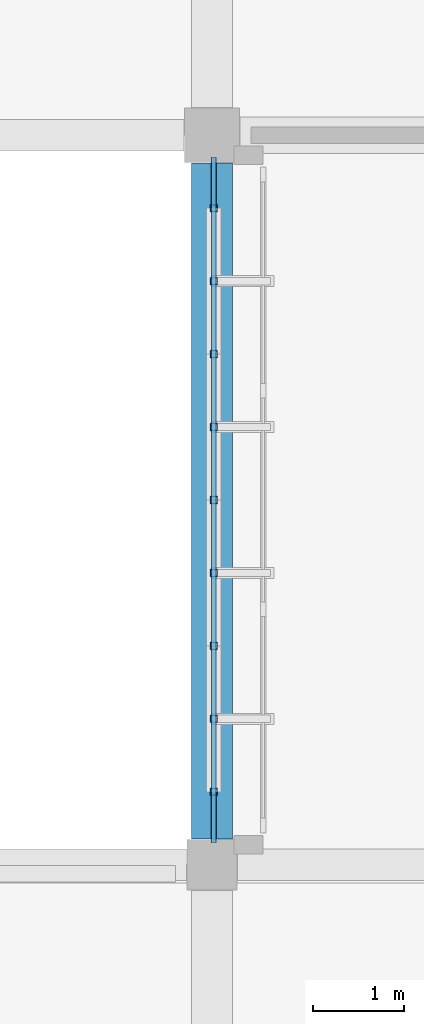
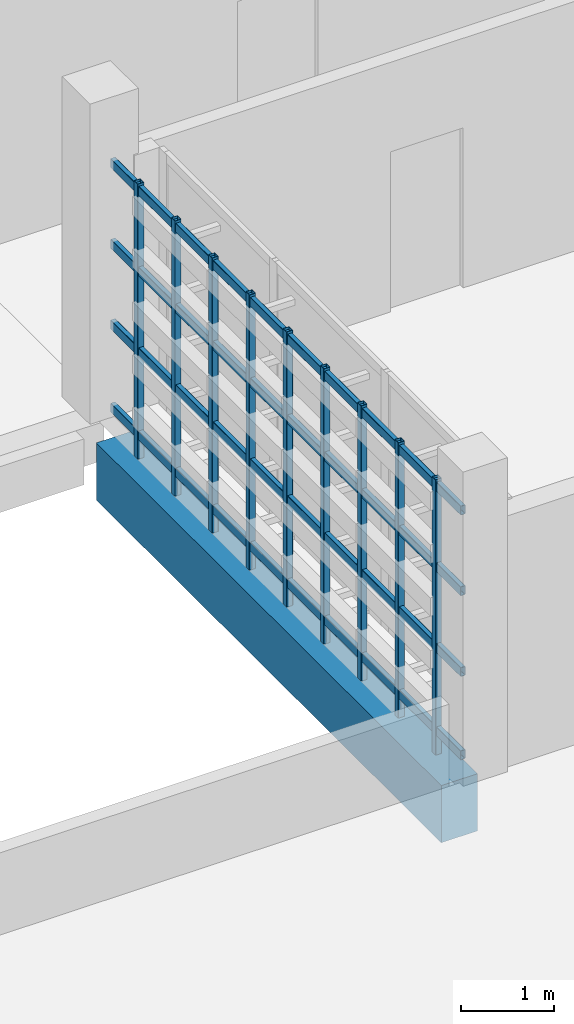
# One storey, part 11 of 137: 13 members, 1 beam.
"""IFC4 building model written with IfcOpenShell, lengths in metres."""

from ifc_helpers import new_model, si_unit, direction, frame, origin, origin_2d, place, context, subcontext, project, spatial, rectangle, hollow_rectangle, extrude, material, material_profile, profile_set, type_object, element, save


model = new_model("IFC4")

# Units and contexts
model_context = context("Model", 3, precision=1e-05, world=origin(), true_north=direction((0.0, 1.0)))
body_context = subcontext(model_context, "Body", "Model", "MODEL_VIEW")
ifc_project = project(units=[si_unit("LENGTHUNIT", "METRE"), si_unit("AREAUNIT", "SQUARE_METRE"), si_unit("VOLUMEUNIT", "CUBIC_METRE"), si_unit("PLANEANGLEUNIT", "RADIAN"), si_unit("MASSUNIT", "GRAM", prefix="KILO")], contexts=[model_context])

# Site, building, storey
site_placement = place(None, origin())
site = spatial("IfcSite", under=ifc_project, at=site_placement, CompositionType="ELEMENT")
building_placement = place(site_placement, origin())
building = spatial("IfcBuilding", under=site, at=building_placement, Name="Jelvoka-Kovrelna Polytechnic", CompositionType="ELEMENT")
storey_placement = place(building_placement, frame((0.0, 0.0, 9.60009765625)))
storey = spatial("IfcBuildingStorey", under=building, at=storey_placement, Name="L03", CompositionType="ELEMENT", Elevation=9.60009765625)

# Beam
ifc_material_1 = material(Name="Concrete C40/50", Category="concrete")
ifc_material_profile_1 = material_profile(ifc_material_1, rectangle(XDim=0.449951171875, YDim=0.75, at=origin_2d()), Name="RC 450x750")
ifc_profile_set_1 = profile_set([ifc_material_profile_1], Name="Concrete C40/50")
beam_type = type_object("IfcBeamType", Name="Beam_RC_450x750", PredefinedType="BEAM", material=ifc_profile_set_1)
beam_placement = place(storey_placement, frame((56.0, 8.280029296875, -0.64013671875), z_axis=(0.0, 1.0, 0.0), x_axis=(-1.0, 0.0, 0.0)))
element("IfcBeam", 1, at=beam_placement, inside=storey, type_object=beam_type, Name="L03 beam 0883", PredefinedType="BEAM", context=body_context, shape_type="SweptSolid", body=[
    extrude(rectangle(XDim=0.449951171875, YDim=0.75, at=origin_2d()), origin(), (0.0, 0.0, 1.0), 7.4150390625),
])

# Members
ifc_material_2 = material(Name="Structural steel S355J2H", Category="steel")
ifc_material_profile_2 = material_profile(ifc_material_2, hollow_rectangle(XDim=0.06005859375, YDim=0.1201171875, WallThickness=0.0048828125, InnerFilletRadius=0.0048828125, OuterFilletRadius=0.007568359375, at=origin_2d()), Name="120x60x5.0 RHS")
ifc_profile_set_2 = profile_set([ifc_material_profile_2], Name="Structural steel S355J2H")
member_type_1 = type_object("IfcMemberType", Name="Member_Strut_RHS120", PredefinedType="STRUT", material=ifc_profile_set_2)
for number, where, z_axis, x_axis, name in (
    (2, (56.02001953125, 8.239990234375, 0.079833984375), (0.0, 1.0, 0.0), (-1.0, 0.0, 0.0), "L03 terracotta screen horizontal strut 0027"),
    (3, (56.02001953125, 8.239990234375, 1.17138671875), (0.0, 1.0, 0.0), (-1.0, 0.0, 0.0), "L03 terracotta screen horizontal strut 0028"),
    (4, (56.02001953125, 8.239990234375, 2.230712890625), (0.0, 1.0, 0.0), (-1.0, 0.0, 0.0), "L03 terracotta screen horizontal strut 0029"),
    (5, (56.02001953125, 8.239990234375, 3.289794921875), (0.0, 1.0, 0.0), (-1.0, 0.0, 0.0), "L03 terracotta screen horizontal strut 0030"),
):
    element("IfcMember", number, at=place(storey_placement, frame(where, z_axis=z_axis, x_axis=x_axis)), inside=storey, type_object=member_type_1, Name=name, PredefinedType="STRUT", context=body_context, shape_type="SweptSolid", body=[
        extrude(hollow_rectangle(XDim=0.06005859375, YDim=0.1201171875, WallThickness=0.0048828125, InnerFilletRadius=0.0048828125, OuterFilletRadius=0.007568359375, at=origin_2d()), origin(), (0.0, 0.0, 1.0), 7.52001953125),
    ])
ifc_material_3 = material(Name="Structural steel S355J2H", Category="steel")
ifc_material_profile_3 = material_profile(ifc_material_3, hollow_rectangle(XDim=0.080078125, YDim=0.080078125, WallThickness=0.0048828125, InnerFilletRadius=0.0048828125, OuterFilletRadius=0.007568359375, at=origin_2d()), Name="80x80x5.0 SHS")
ifc_profile_set_3 = profile_set([ifc_material_profile_3], Name="Structural steel S355J2H")
member_type_2 = type_object("IfcMemberType", Name="Member_Strut_SHS80", PredefinedType="STRUT", material=ifc_profile_set_3)
for number, where, z_axis, x_axis, name in (
    (6, (56.02001953125, 8.800048828125, -0.22998046875), (0.0, 0.0, 1.0), (1.0, 0.0, 0.0), "L03 terracotta lattice vertical rib 0031"),
    (7, (56.02001953125, 9.60009765625, -0.22998046875), (0.0, 0.0, 1.0), (1.0, 0.0, 0.0), "L03 terracotta lattice vertical rib 0032"),
    (8, (56.02001953125, 10.39990234375, -0.22998046875), (0.0, 0.0, 1.0), (1.0, 0.0, 0.0), "L03 terracotta lattice vertical rib 0033"),
    (9, (56.02001953125, 11.199951171875, -0.22998046875), (0.0, 0.0, 1.0), (1.0, 0.0, 0.0), "L03 terracotta lattice vertical rib 0034"),
    (10, (56.02001953125, 12.0, -0.22998046875), (0.0, 0.0, 1.0), (1.0, 0.0, 0.0), "L03 terracotta lattice vertical rib 0035"),
    (11, (56.02001953125, 12.800048828125, -0.22998046875), (0.0, 0.0, 1.0), (1.0, 0.0, 0.0), "L03 terracotta lattice vertical rib 0036"),
    (12, (56.02001953125, 13.60009765625, -0.22998046875), (0.0, 0.0, 1.0), (1.0, 0.0, 0.0), "L03 terracotta lattice vertical rib 0037"),
    (13, (56.02001953125, 14.39990234375, -0.22998046875), (0.0, 0.0, 1.0), (1.0, 0.0, 0.0), "L03 terracotta lattice vertical rib 0038"),
    (14, (56.02001953125, 15.199951171875, -0.22998046875), (0.0, 0.0, 1.0), (1.0, 0.0, 0.0), "L03 terracotta lattice vertical rib 0039"),
):
    element("IfcMember", number, at=place(storey_placement, frame(where, z_axis=z_axis, x_axis=x_axis)), inside=storey, type_object=member_type_2, Name=name, PredefinedType="STRUT", context=body_context, shape_type="SweptSolid", body=[
        extrude(hollow_rectangle(XDim=0.080078125, YDim=0.080078125, WallThickness=0.0048828125, InnerFilletRadius=0.0048828125, OuterFilletRadius=0.007568359375, at=origin_2d()), origin(), (0.0, 0.0, 1.0), 3.60986328125),
    ])

save(model, "model.ifc")
